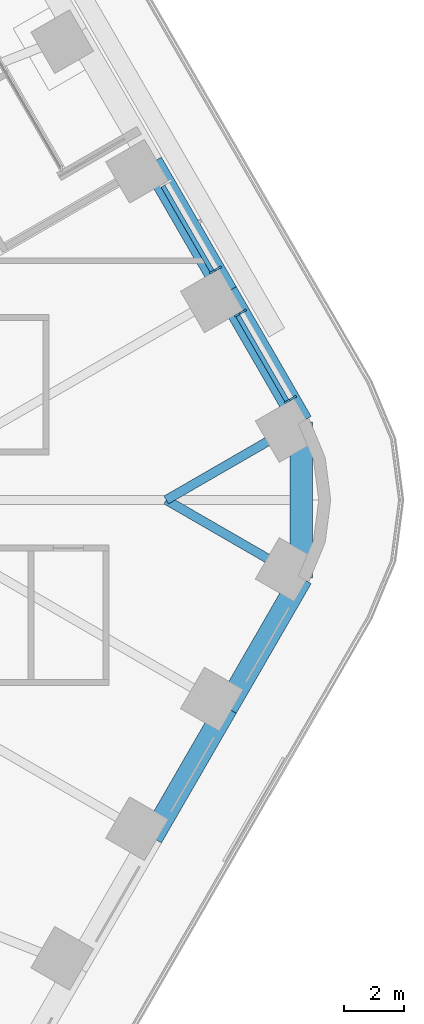
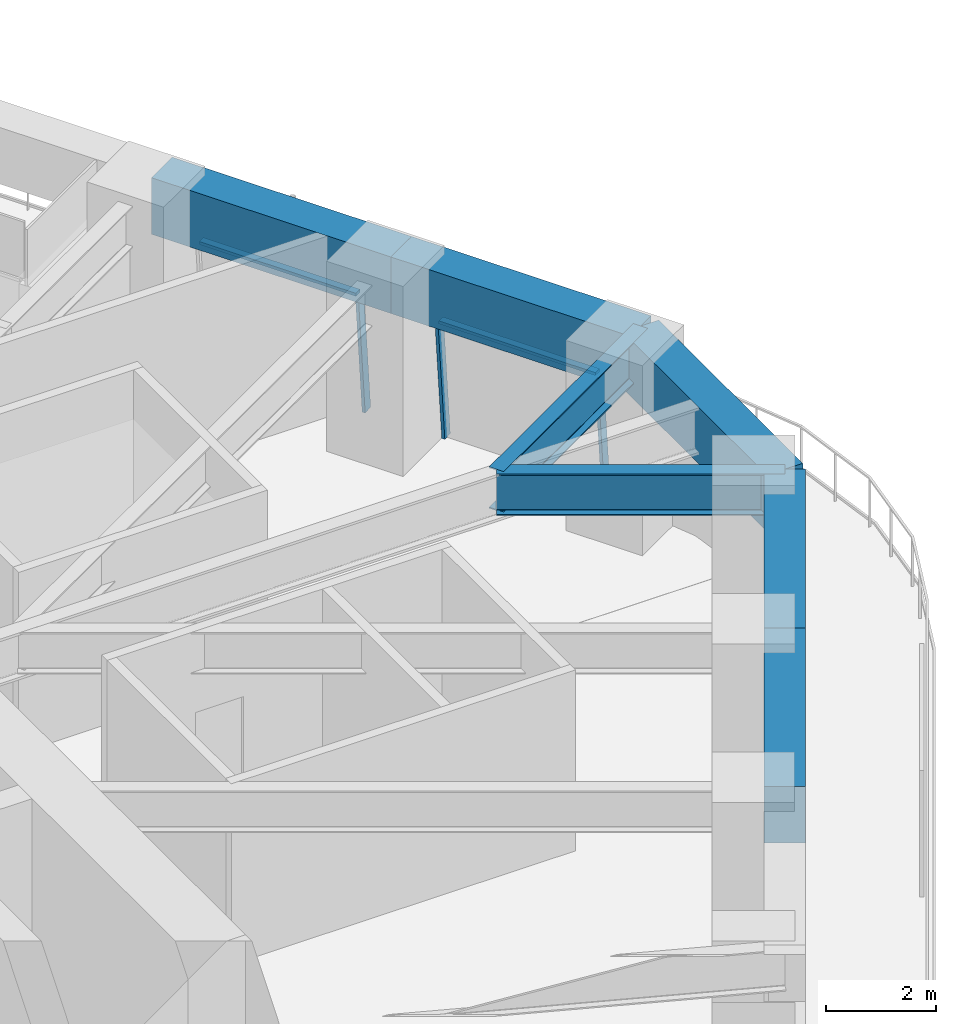
# One storey, part 14 of 24: 7 beams, 5 members, 2 elements without a shape of their own.
"""IFC4 building model written with IfcOpenShell, lengths in metres."""

from ifc_helpers import new_model, si_unit, direction, frame, origin, origin_2d, place, context, subcontext, project, spatial, rectangle, i_section, extrude, material, material_profile, profile_set, type_object, element, aggregate, save


model = new_model("IFC4")

# Units and contexts
model_context = context("Model", 3, precision=1e-05, world=origin(), true_north=direction((0.0, 1.0)))
body_context = subcontext(model_context, "Body", "Model", "MODEL_VIEW")
ifc_project = project(units=[si_unit("LENGTHUNIT", "METRE"), si_unit("AREAUNIT", "SQUARE_METRE"), si_unit("VOLUMEUNIT", "CUBIC_METRE"), si_unit("PLANEANGLEUNIT", "RADIAN"), si_unit("MASSUNIT", "GRAM", prefix="KILO")], contexts=[model_context])

# Site, building, storey
site_placement = place(None, origin())
site = spatial("IfcSite", under=ifc_project, at=site_placement, CompositionType="ELEMENT")
building_placement = place(site_placement, origin())
building = spatial("IfcBuilding", under=site, at=building_placement, Name="Tarfa Lantern Tower", CompositionType="ELEMENT")
storey_placement = place(building_placement, frame((0.0, 0.0, 140.5)))
storey = spatial("IfcBuildingStorey", under=building, at=storey_placement, Name="L31", CompositionType="ELEMENT", Elevation=140.5)

# Curtain wall, members
ifc_material_1 = material(Name="Aluminium framed curtain wall", Category="aluminium")
curtain_wall_type = type_object("IfcCurtainWallType", Name="CW2 CANTED GLAZING MID ZONE 2750", PredefinedType="USERDEFINED", material=ifc_material_1)
curtain_wall_1_placement = place(storey_placement, origin())
curtain_wall_1 = element("IfcCurtainWall", 1, at=curtain_wall_1_placement, inside=storey, type_object=curtain_wall_type, Name="CW2 NE L31", ObjectType="CURTAIN WALL", PredefinedType="USERDEFINED")
ifc_material_2 = material(Name="Aluminium mullion", Category="aluminium")
ifc_material_profile_1 = material_profile(ifc_material_2, rectangle(XDim=0.06494140625, YDim=0.199951171875, at=origin_2d()), Name="AL MULLION 65x200")
ifc_profile_set_1 = profile_set([ifc_material_profile_1], Name="Aluminium mullion")
member_type_1 = type_object("IfcMemberType", Name="CWM1 MULLION 65x200", PredefinedType="MULLION", material=ifc_profile_set_1)
member_1_placement = place(storey_placement, frame((34.282470703125, 3.4208984375, 0.0), z_axis=(-0.078422950161, -0.045267813396, 0.995891894715), x_axis=(0.499919672301, -0.866071776036, 0.0)))
member_1 = element("IfcMember", 2, at=member_1_placement, type_object=member_type_1, Name="CW2 mullion 1", PredefinedType="MULLION", context=body_context, shape_type="SweptSolid", body=[
    extrude(rectangle(XDim=0.06494140625, YDim=0.199951171875, at=origin_2d()), origin(), (0.0, 0.0, 1.0), 2.76123046875),
])
member_2_placement = place(storey_placement, frame((32.613037109375, 6.312255859375, 0.0), z_axis=(-0.078335079308, -0.045268127094, 0.995898796073), x_axis=(0.500342721131, -0.865827443207, 0.0)))
member_2 = element("IfcMember", 3, at=member_2_placement, type_object=member_type_1, Name="CW2 mullion 2", PredefinedType="MULLION", context=body_context, shape_type="SweptSolid", body=[
    extrude(rectangle(XDim=0.06494140625, YDim=0.199951171875, at=origin_2d()), origin(), (0.0, 0.0, 1.0), 2.76123046875),
])

# Curtain wall, member
curtain_wall_2_placement = place(storey_placement, origin())
curtain_wall_2 = element("IfcCurtainWall", 4, at=curtain_wall_2_placement, inside=storey, type_object=curtain_wall_type, Name="CW2 NE L31", ObjectType="CURTAIN WALL", PredefinedType="USERDEFINED")
member_3_placement = place(storey_placement, frame((31.78076171875, 7.75439453125, 0.0), z_axis=(-0.078422950161, -0.045267813396, 0.995891894715), x_axis=(0.499919672301, -0.866071776036, 0.0)))
member_3 = element("IfcMember", 5, at=member_3_placement, type_object=member_type_1, Name="CW2 mullion 1", PredefinedType="MULLION", context=body_context, shape_type="SweptSolid", body=[
    extrude(rectangle(XDim=0.06494140625, YDim=0.199951171875, at=origin_2d()), origin(), (0.0, 0.0, 1.0), 2.76123046875),
])

# Member
ifc_material_3 = material(Name="Aluminium transom", Category="aluminium")
ifc_material_profile_2 = material_profile(ifc_material_3, rectangle(XDim=0.14990234375, YDim=0.06494140625, at=origin_2d()), Name="AL TRANSOM 150x65")
ifc_profile_set_2 = profile_set([ifc_material_profile_2], Name="Aluminium transom")
member_type_2 = type_object("IfcMemberType", Name="CWT1 TRANSOM 150x65", PredefinedType="USERDEFINED", material=ifc_profile_set_2)
member_4_placement = place(storey_placement, frame((34.05224609375, 3.32568359375, 2.717529296875), z_axis=(-0.499989298045, 0.866031582473, 0.0), x_axis=(-0.866031582473, -0.499989298045, 0.0)))
member_4 = element("IfcMember", 6, at=member_4_placement, type_object=member_type_2, Name="CW2 transom 1.2", ObjectType="TRANSOM", PredefinedType="USERDEFINED", context=body_context, shape_type="SweptSolid", body=[
    extrude(rectangle(XDim=0.14990234375, YDim=0.06494140625, at=origin_2d()), origin(), (0.0, 0.0, 1.0), 3.2734375),
])

aggregate(curtain_wall_1, [member_1, member_2, member_4])

member_5_placement = place(storey_placement, frame((31.550537109375, 7.658935546875, 2.717529296875), z_axis=(-0.500012937857, 0.86601793398, 0.0), x_axis=(-0.86601793398, -0.500012937857, 0.0)))
member_5 = element("IfcMember", 7, at=member_5_placement, type_object=member_type_2, Name="CW2 transom 1.2", ObjectType="TRANSOM", PredefinedType="USERDEFINED", context=body_context, shape_type="SweptSolid", body=[
    extrude(rectangle(XDim=0.14990234375, YDim=0.06494140625, at=origin_2d()), origin(), (0.0, 0.0, 1.0), 3.27392578125),
])

aggregate(curtain_wall_2, [member_3, member_5])

# Beams
ifc_material_4 = material(Name="Concrete C80/95", Category="concrete")
ifc_material_profile_3 = material_profile(ifc_material_4, rectangle(XDim=0.75, YDim=1.25, at=origin_2d()), Name="RC 750x1250")
ifc_profile_set_3 = profile_set([ifc_material_profile_3], Name="Concrete C80/95")
beam_type_1 = type_object("IfcBeamType", Name="EB2 RC 750x1250", PredefinedType="SPANDREL", material=ifc_profile_set_3)
for number, where, z_axis, x_axis, name in (
    (8, (34.54296875, 2.610107421875, 3.375), (-0.500022324899, 0.866012514114, 0.0), (-0.866012514114, -0.500022324899, 0.0), "Edge beam NE0"),
    (9, (32.041015625, 6.943359375, 3.375), (-0.500022324899, 0.866012514114, 0.0), (-0.866012514114, -0.500022324899, 0.0), "Edge beam NE1"),
    (10, (29.5390625, -11.276611328125, 3.375), (0.500022324899, 0.866012514114, 0.0), (-0.866012514114, 0.500022324899, 0.0), "Edge beam SE4"),
    (11, (32.041015625, -6.943359375, 3.375), (0.500022324899, 0.866012514114, 0.0), (-0.866012514114, 0.500022324899, 0.0), "Edge beam SE5"),
):
    element("IfcBeam", number, at=place(storey_placement, frame(where, z_axis=z_axis, x_axis=x_axis)), inside=storey, type_object=beam_type_1, Name=name, PredefinedType="SPANDREL", context=body_context, shape_type="SweptSolid", body=[
        extrude(rectangle(XDim=0.75, YDim=1.25, at=origin_2d()), origin(), (0.0, 0.0, 1.0), 5.003662109375),
    ])
beam_placement = place(storey_placement, frame((34.54296875, -2.610107421875, 3.375), z_axis=(0.0, 1.0, 0.0), x_axis=(-1.0, 0.0, 0.0)))
element("IfcBeam", 12, at=beam_placement, inside=storey, type_object=beam_type_1, Name="Edge beam SE6", PredefinedType="SPANDREL", context=body_context, shape_type="SweptSolid", body=[
    extrude(rectangle(XDim=0.75, YDim=1.25, at=origin_2d()), origin(), (0.0, 0.0, 1.0), 5.22021484375),
])
ifc_material_5 = material(Name="Steel S460M", Category="steel")
ifc_material_profile_4 = material_profile(ifc_material_5, i_section(OverallWidth=0.305419921875, OverallDepth=0.91845703125, WebThickness=0.017333984375, FlangeThickness=0.02783203125, FilletRadius=0.01904296875, at=origin_2d()), Name="UB914x305x253")
ifc_profile_set_4 = profile_set([ifc_material_profile_4], Name="Steel S460M")
beam_type_2 = type_object("IfcBeamType", Name="UB914x305x253", PredefinedType="BEAM", material=ifc_profile_set_4)
for number, where, z_axis, x_axis, name in (
    (13, (34.54296875, 2.610107421875, 3.540771484375), (-0.866021250859, -0.500007193008, 0.0), (0.500007193008, -0.866021250859, 0.0), "Floor beam NE0"),
    (14, (34.54296875, -2.610107421875, 3.540771484375), (-0.866021250859, 0.500007193008, 0.0), (-0.500007193008, -0.866021250859, 0.0), "Floor beam SE6"),
):
    element("IfcBeam", number, at=place(storey_placement, frame(where, z_axis=z_axis, x_axis=x_axis)), inside=storey, type_object=beam_type_2, Name=name, PredefinedType="BEAM", context=body_context, shape_type="SweptSolid", body=[
        extrude(i_section(OverallWidth=0.305419921875, OverallDepth=0.91845703125, WebThickness=0.017333984375, FlangeThickness=0.02783203125, FilletRadius=0.01904296875, at=origin_2d()), origin(), (0.0, 0.0, 1.0), 5.22021484375),
    ])

save(model, "model.ifc")
